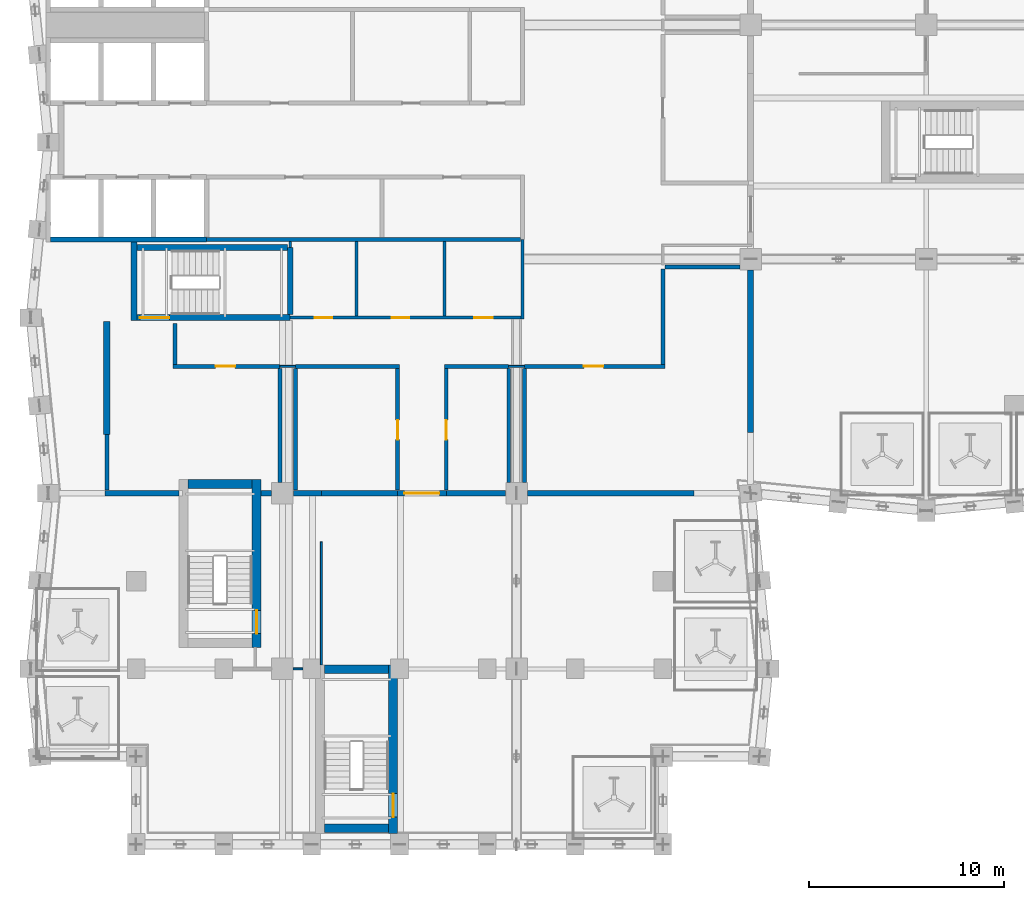
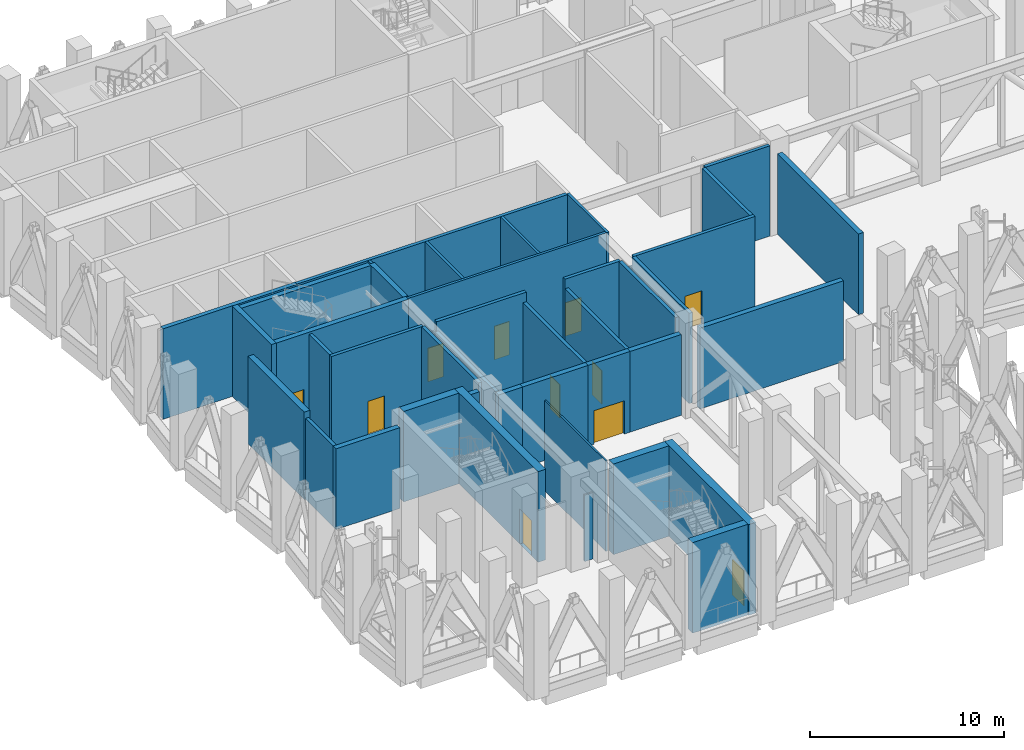
# One storey, part 15 of 28: 43 walls, 11 doors, 11 openings.
"""IFC4 building model written with IfcOpenShell, lengths in metres."""

from ifc_helpers import new_model, si_unit, direction, frame, frame_2d, origin, place, context, subcontext, project, spatial, rectangle, extrude, material, layer, layer_set, type_object, element, fill, save


model = new_model("IFC4")

# Units and contexts
model_context = context("Model", 3, precision=1e-05, world=origin(), true_north=direction((0.0, 1.0)))
body_context = subcontext(model_context, "Body", "Model", "MODEL_VIEW")
ifc_project = project(units=[si_unit("LENGTHUNIT", "METRE"), si_unit("AREAUNIT", "SQUARE_METRE"), si_unit("VOLUMEUNIT", "CUBIC_METRE"), si_unit("PLANEANGLEUNIT", "RADIAN"), si_unit("MASSUNIT", "GRAM", prefix="KILO")], contexts=[model_context])

# Site, building, storey
site_placement = place(None, origin())
site = spatial("IfcSite", under=ifc_project, at=site_placement, CompositionType="ELEMENT")
building_placement = place(site_placement, origin())
building = spatial("IfcBuilding", under=site, at=building_placement, Name="Brondeck Convention Tower", CompositionType="ELEMENT")
storey_placement = place(building_placement, frame((0.0, 0.0, 192.800048828125)))
storey = spatial("IfcBuildingStorey", under=building, at=storey_placement, Name="L47", CompositionType="ELEMENT", Elevation=192.800048828125)

# Walls
ifc_material_1 = material(Name="Precast concrete C50/60 bronze finish", Category="concrete")
ifc_layer_1 = layer(ifc_material_1, 0.080078125, Name="Bronze precast facing")
ifc_material_2 = material(Name="Mineral wool")
ifc_layer_2 = layer(ifc_material_2, 0.159912109375, Name="Insulation")
ifc_material_3 = material(Name="Precast concrete C50/60", Category="concrete")
ifc_layer_3 = layer(ifc_material_3, 0.110107421875, Name="Rated backing")
ifc_layer_set_1 = layer_set([ifc_layer_1, ifc_layer_2, ifc_layer_3], Name="Band enclosure wall, insulated panel")
wall_type_1 = type_object("IfcWallType", Name="Band enclosure wall, insulated panel", PredefinedType="SOLIDWALL", material=ifc_layer_set_1)
wall_1_placement = place(storey_placement, frame((3.0, 30.0, 0.0), z_axis=(0.0, 0.0, 1.0), x_axis=(0.0, 1.0, 0.0)))
element("IfcWall", 1, at=wall_1_placement, inside=storey, type_object=wall_type_1, Name="ENV-L47-002-W", PredefinedType="SOLIDWALL", context=body_context, shape_type="SweptSolid", body=[
    extrude(rectangle(XDim=5.800048828125, YDim=0.35009765625, at=frame_2d((2.89990234375, 0.0))), origin(), (0.0, 0.0, 1.0), 5.5),
])
ifc_material_4 = material(Name="Concrete compartment wall C30/37", Category="concrete")
ifc_layer_4 = layer(ifc_material_4, 0.300048828125)
ifc_layer_set_2 = layer_set([ifc_layer_4], Name="Compartment wall 300")
wall_type_2 = type_object("IfcWallType", Name="Compartment wall 300", PredefinedType="PARTITIONING", material=ifc_layer_set_2)
wall_2_placement = place(storey_placement, frame((6.699951171875, 27.0, 0.0), z_axis=(0.0, 0.0, 1.0), x_axis=(-1.0, 0.0, 0.0)))
element("IfcWall", 2, at=wall_2_placement, inside=storey, type_object=wall_type_2, Name="FLR-L47-W005", PredefinedType="PARTITIONING", context=body_context, shape_type="SweptSolid", body=[
    extrude(rectangle(XDim=3.800048828125, YDim=0.300048828125, at=frame_2d((1.89990234375, 0.0))), origin(), (0.0, 0.0, 1.0), 5.079833984375),
])
wall_3_placement = place(storey_placement, frame((10.89990234375, 27.0, 0.0), z_axis=(0.0, 0.0, 1.0), x_axis=(1.0, 0.0, 0.0)))
element("IfcWall", 3, at=wall_3_placement, inside=storey, type_object=wall_type_2, Name="FLR-L47-W006", PredefinedType="PARTITIONING", context=body_context, shape_type="SweptSolid", body=[
    extrude(rectangle(XDim=0.545166015625, YDim=0.300048828125, at=frame_2d((0.2724609375, 0.0))), origin(), (0.0, 0.0, 1.0), 5.679931640625),
])
wall_4_placement = place(storey_placement, frame((12.570068359375, 27.0, 0.0), z_axis=(0.0, 0.0, 1.0), x_axis=(1.0, 0.0, 0.0)))
element("IfcWall", 4, at=wall_4_placement, inside=storey, type_object=wall_type_2, Name="FLR-L47-W007", PredefinedType="PARTITIONING", context=body_context, shape_type="SweptSolid", body=[
    extrude(rectangle(XDim=1.429931640625, YDim=0.300048828125, at=frame_2d((0.71484375, 0.0))), origin(), (0.0, 0.0, 1.0), 5.079833984375),
])
wall_5_placement = place(storey_placement, frame((17.89990234375, 27.0, 0.0), z_axis=(0.0, 0.0, 1.0), x_axis=(-1.0, 0.0, 0.0)))
element("IfcWall", 5, at=wall_5_placement, inside=storey, type_object=wall_type_2, Name="FLR-L47-W008", PredefinedType="PARTITIONING", context=body_context, shape_type="SweptSolid", body=[
    extrude(rectangle(XDim=3.89990234375, YDim=0.300048828125, at=frame_2d((1.949951171875, 0.0))), origin(), (0.0, 0.0, 1.0), 5.079833984375),
])

# Wall, opening, door
wall_6_placement = place(storey_placement, frame((20.39990234375, 27.0, 0.0), z_axis=(0.0, 0.0, 1.0), x_axis=(-1.0, 0.0, 0.0)))
wall_6 = element("IfcWall", 6, at=wall_6_placement, inside=storey, type_object=wall_type_2, Name="FLR-L47-W009", PredefinedType="PARTITIONING", context=body_context, shape_type="SweptSolid", body=[
    extrude(rectangle(XDim=2.5, YDim=0.300048828125, at=frame_2d((1.25, 0.0))), origin(), (0.0, 0.0, 1.0), 5.079833984375),
])
opening_1_placement = place(wall_6_placement, frame((0.35009765625, 0.0, 0.0)))
opening_1 = element("IfcOpeningElement", 7, at=opening_1_placement, cuts=wall_6, Name="Opening BD-3-009", PredefinedType="OPENING", context=body_context, shape_type="SweptSolid", body=[
    extrude(rectangle(XDim=1.800048828125, YDim=2.10009765625, at=frame_2d((0.89990234375, 1.050048828125))), frame((0.0, 0.159912109375, 0.0), z_axis=(0.0, -1.0, 0.0), x_axis=(1.0, 0.0, 0.0)), (0.0, 0.0, 1.0), 0.320068359375),
])
ifc_material_5 = material(Name="Steel fire door pair", Category="steel")
door_type_1 = type_object("IfcDoorType", Name="Fire door pair 1800", OperationType="DOUBLE_DOOR_SINGLE_SWING", PredefinedType="DOOR", material=ifc_material_5)
door_1_placement = place(opening_1_placement, origin())
door_1 = element("IfcDoor", 8, at=door_1_placement, inside=storey, type_object=door_type_1, Name="Door BD-3-009", OperationType="DOUBLE_DOOR_SINGLE_SWING", OverallHeight=2.10009765625, OverallWidth=1.800048828125, PredefinedType="DOOR", context=body_context, shape_type="SweptSolid", body=[
    extrude(rectangle(XDim=1.800048828125, YDim=2.10009765625, at=frame_2d((0.89990234375, 1.050048828125))), frame((0.0, 0.02490234375, 0.0), z_axis=(0.0, -1.0, 0.0), x_axis=(1.0, 0.0, 0.0)), (0.0, 0.0, 1.0), 0.050048828125),
])
fill(opening_1, door_1)

# Walls
wall_7_placement = place(storey_placement, frame((23.445068359375, 27.0, 0.0), z_axis=(0.0, 0.0, 1.0), x_axis=(-1.0, 0.0, 0.0)))
element("IfcWall", 9, at=wall_7_placement, inside=storey, type_object=wall_type_2, Name="FLR-L47-W010", PredefinedType="PARTITIONING", context=body_context, shape_type="SweptSolid", body=[
    extrude(rectangle(XDim=3.045166015625, YDim=0.300048828125, at=frame_2d((1.5224609375, 0.0))), origin(), (0.0, 0.0, 1.0), 5.079833984375),
])
wall_8_placement = place(storey_placement, frame((33.10009765625, 27.0, 0.0), z_axis=(0.0, 0.0, 1.0), x_axis=(-1.0, 0.0, 0.0)))
element("IfcWall", 10, at=wall_8_placement, inside=storey, type_object=wall_type_2, Name="FLR-L47-W011", PredefinedType="PARTITIONING", context=body_context, shape_type="SweptSolid", body=[
    extrude(rectangle(XDim=8.545166015625, YDim=0.300048828125, at=frame_2d((4.2724609375, 0.0))), origin(), (0.0, 0.0, 1.0), 5.079833984375),
])
wall_9_placement = place(storey_placement, frame((36.0, 38.445068359375, 0.0), z_axis=(0.0, 0.0, 1.0), x_axis=(0.0, -1.0, 0.0)))
element("IfcWall", 11, at=wall_9_placement, inside=storey, type_object=wall_type_2, Name="FLR-L47-W028", PredefinedType="PARTITIONING", context=body_context, shape_type="SweptSolid", body=[
    extrude(rectangle(XDim=8.344970703125, YDim=0.300048828125, at=frame_2d((4.17236328125, 0.0))), origin(), (0.0, 0.0, 1.0), 5.079833984375),
])

# Wall, openings, doors
ifc_material_6 = material(Name="Concrete C70/85", Category="concrete")
ifc_layer_5 = layer(ifc_material_6, 0.14990234375)
ifc_layer_set_3 = layer_set([ifc_layer_5], Name="Core beam-seat wall 150 Concrete C70/85")
wall_type_3 = type_object("IfcWallType", Name="Core beam-seat wall 150 Concrete C70/85", PredefinedType="SHEAR", material=ifc_layer_set_3)
wall_10_placement = place(storey_placement, frame((12.39990234375, 36.0, 0.0), z_axis=(0.0, 0.0, 1.0), x_axis=(1.0, 0.0, 0.0)))
wall_10 = element("IfcWall", 12, at=wall_10_placement, inside=storey, type_object=wall_type_3, Name="L47 core wall", PredefinedType="SHEAR", context=body_context, shape_type="SweptSolid", body=[
    extrude(rectangle(XDim=11.8251953125, YDim=0.14990234375, at=frame_2d((5.91259765625, 0.0))), origin(), (0.0, 0.0, 1.0), 5.699951171875),
])
opening_2_placement = place(wall_10_placement, frame((1.25, 0.0, 0.0)))
opening_2 = element("IfcOpeningElement", 13, at=opening_2_placement, cuts=wall_10, Name="Opening C26-03", PredefinedType="OPENING", context=body_context, shape_type="SweptSolid", body=[
    extrude(rectangle(XDim=0.89990234375, YDim=2.10009765625, at=frame_2d((0.449951171875, 1.050048828125))), frame((0.0, 0.0849609375, 0.0), z_axis=(0.0, -1.0, 0.0), x_axis=(1.0, 0.0, 0.0)), (0.0, 0.0, 1.0), 0.169921875),
])
opening_3_placement = place(wall_10_placement, frame((5.199951171875, 0.0, 0.0)))
opening_3 = element("IfcOpeningElement", 14, at=opening_3_placement, cuts=wall_10, Name="Opening C26-04", PredefinedType="OPENING", context=body_context, shape_type="SweptSolid", body=[
    extrude(rectangle(XDim=0.89990234375, YDim=2.10009765625, at=frame_2d((0.449951171875, 1.050048828125))), frame((0.0, 0.0849609375, 0.0), z_axis=(0.0, -1.0, 0.0), x_axis=(1.0, 0.0, 0.0)), (0.0, 0.0, 1.0), 0.169921875),
])
opening_4_placement = place(wall_10_placement, frame((9.425048828125, 0.0, 0.0)))
opening_4 = element("IfcOpeningElement", 15, at=opening_4_placement, cuts=wall_10, Name="Opening C26-05", PredefinedType="OPENING", context=body_context, shape_type="SweptSolid", body=[
    extrude(rectangle(XDim=0.949951171875, YDim=2.10009765625, at=frame_2d((0.47509765625, 1.050048828125))), frame((0.0, 0.0849609375, 0.0), z_axis=(0.0, -1.0, 0.0), x_axis=(1.0, 0.0, 0.0)), (0.0, 0.0, 1.0), 0.169921875),
])
ifc_material_7 = material(Name="Steel fire door", Category="steel")
door_type_2 = type_object("IfcDoorType", Name="Room door 900x2100 EI 60", OperationType="NOTDEFINED", PredefinedType="DOOR", material=ifc_material_7)
door_2_placement = place(opening_2_placement, origin())
door_2 = element("IfcDoor", 16, at=door_2_placement, inside=storey, type_object=door_type_2, Name="L47 Room door FR-1", OperationType="SINGLE_SWING_RIGHT", OverallHeight=2.10009765625, OverallWidth=0.89990234375, PredefinedType="DOOR", context=body_context, shape_type="SweptSolid", body=[
    extrude(rectangle(XDim=0.89990234375, YDim=2.10009765625, at=frame_2d((0.449951171875, 1.050048828125))), frame((0.0, 0.02490234375, 0.0), z_axis=(0.0, -1.0, 0.0), x_axis=(1.0, 0.0, 0.0)), (0.0, 0.0, 1.0), 0.050048828125),
])
fill(opening_2, door_2)
door_3_placement = place(opening_3_placement, origin())
door_3 = element("IfcDoor", 17, at=door_3_placement, inside=storey, type_object=door_type_2, Name="L47 Room door FR-2", OperationType="SINGLE_SWING_LEFT", OverallHeight=2.10009765625, OverallWidth=0.89990234375, PredefinedType="DOOR", context=body_context, shape_type="SweptSolid", body=[
    extrude(rectangle(XDim=0.89990234375, YDim=2.10009765625, at=frame_2d((0.449951171875, 1.050048828125))), frame((0.0, 0.02490234375, 0.0), z_axis=(0.0, -1.0, 0.0), x_axis=(1.0, 0.0, 0.0)), (0.0, 0.0, 1.0), 0.050048828125),
])
fill(opening_3, door_3)
door_type_3 = type_object("IfcDoorType", Name="Room door 950x2100 EI 60", OperationType="NOTDEFINED", PredefinedType="DOOR", material=ifc_material_7)
door_4_placement = place(opening_4_placement, origin())
door_4 = element("IfcDoor", 18, at=door_4_placement, inside=storey, type_object=door_type_3, Name="L47 Room door FR-3", OperationType="SINGLE_SWING_RIGHT", OverallHeight=2.10009765625, OverallWidth=0.949951171875, PredefinedType="DOOR", context=body_context, shape_type="SweptSolid", body=[
    extrude(rectangle(XDim=0.949951171875, YDim=2.10009765625, at=frame_2d((0.47509765625, 1.050048828125))), frame((0.0, 0.02490234375, 0.0), z_axis=(0.0, -1.0, 0.0), x_axis=(1.0, 0.0, 0.0)), (0.0, 0.0, 1.0), 0.050048828125),
])
fill(opening_4, door_4)

# Walls
wall_11_placement = place(storey_placement, frame((24.300048828125, 35.925048828125, 0.0), z_axis=(0.0, 0.0, 1.0), x_axis=(0.0, 1.0, 0.0)))
element("IfcWall", 19, at=wall_11_placement, inside=storey, type_object=wall_type_3, Name="L47 core wall", PredefinedType="SHEAR", context=body_context, shape_type="SweptSolid", body=[
    extrude(rectangle(XDim=4.074951171875, YDim=0.14990234375, at=frame_2d((2.03759765625, 0.0))), origin(), (0.0, 0.0, 1.0), 5.699951171875),
])
ifc_material_8 = material(Name="Fire-rated gypsum board partition")
ifc_layer_6 = layer(ifc_material_8, 0.14990234375)
ifc_layer_set_4 = layer_set([ifc_layer_6], Name="Core partition 150 EI 60")
wall_type_4 = type_object("IfcWallType", Name="Core partition 150 EI 60", PredefinedType="PARTITIONING", material=ifc_layer_set_4)
wall_12_placement = place(storey_placement, frame((12.39990234375, 39.60009765625, 0.0), z_axis=(0.0, 0.0, 1.0), x_axis=(0.0, 1.0, 0.0)))
element("IfcWall", 20, at=wall_12_placement, inside=storey, type_object=wall_type_4, Name="L47 core wall", PredefinedType="PARTITIONING", context=body_context, shape_type="SweptSolid", body=[
    extrude(rectangle(XDim=0.2998046875, YDim=0.14990234375, at=frame_2d((0.14990234375, 0.0))), origin(), (0.0, 0.0, 1.0), 5.699951171875),
])
for number, where, z_axis, x_axis, name in (
    (21, (15.800048828125, 36.074951171875, 0.0), (0.0, 0.0, 1.0), (0.0, 1.0, 0.0), "L47 core wall"),
    (22, (20.300048828125, 36.074951171875, 0.0), (0.0, 0.0, 1.0), (0.0, 1.0, 0.0), "L47 core wall"),
):
    element("IfcWall", number, at=place(storey_placement, frame(where, z_axis=z_axis, x_axis=x_axis)), inside=storey, type_object=wall_type_4, Name=name, PredefinedType="PARTITIONING", context=body_context, shape_type="SweptSolid", body=[
        extrude(rectangle(XDim=3.824951171875, YDim=0.14990234375, at=frame_2d((1.91259765625, 0.0))), origin(), (0.0, 0.0, 1.0), 5.699951171875),
    ])
ifc_layer_7 = layer(ifc_material_6, 0.25)
ifc_layer_set_5 = layer_set([ifc_layer_7], Name="Lift shaft wall 250 Concrete C70/85")
wall_type_5 = type_object("IfcWallType", Name="Lift shaft wall 250 Concrete C70/85", PredefinedType="SHEAR", material=ifc_layer_set_5)
wall_13_placement = place(storey_placement, frame((0.125, 40.0, 0.0), z_axis=(0.0, 0.0, 1.0), x_axis=(1.0, 0.0, 0.0)))
element("IfcWall", 23, at=wall_13_placement, inside=storey, type_object=wall_type_5, Name="L47 core wall", PredefinedType="SHEAR", context=body_context, shape_type="SweptSolid", body=[
    extrude(rectangle(XDim=7.97509765625, YDim=0.25, at=frame_2d((3.987548828125, 0.0))), origin(), (0.0, 0.0, 1.0), 5.699951171875),
])
ifc_material_9 = material(Name="Concrete block wall C16/20", Category="concrete")
ifc_layer_8 = layer(ifc_material_9, 0.199951171875)
ifc_layer_set_6 = layer_set([ifc_layer_8], Name="Plant room wall 200")
wall_type_6 = type_object("IfcWallType", Name="Plant room wall 200", PredefinedType="PARTITIONING", material=ifc_layer_set_6)
wall_14_placement = place(storey_placement, frame((3.0, 27.159912109375, 0.0), z_axis=(0.0, 0.0, 1.0), x_axis=(0.0, 1.0, 0.0)))
element("IfcWall", 24, at=wall_14_placement, inside=storey, type_object=wall_type_6, Name="FLR-L47-W012", PredefinedType="PARTITIONING", context=body_context, shape_type="SweptSolid", body=[
    extrude(rectangle(XDim=2.840087890625, YDim=0.199951171875, at=frame_2d((1.419921875, 0.0))), origin(), (0.0, 0.0, 1.0), 5.079833984375),
])
wall_15_placement = place(storey_placement, frame((12.669921875, 27.159912109375, 0.0), z_axis=(0.0, 0.0, 1.0), x_axis=(0.0, 1.0, 0.0)))
element("IfcWall", 25, at=wall_15_placement, inside=storey, type_object=wall_type_6, Name="FLR-L47-W013", PredefinedType="PARTITIONING", context=body_context, shape_type="SweptSolid", body=[
    extrude(rectangle(XDim=6.239990234375, YDim=0.199951171875, at=frame_2d((3.1201171875, 0.0))), origin(), (0.0, 0.0, 1.0), 5.079833984375),
])

# Wall, opening, door
wall_16_placement = place(storey_placement, frame((17.89990234375, 27.159912109375, 0.0), z_axis=(0.0, 0.0, 1.0), x_axis=(0.0, 1.0, 0.0)))
wall_16 = element("IfcWall", 26, at=wall_16_placement, inside=storey, type_object=wall_type_6, Name="FLR-L47-W014", PredefinedType="PARTITIONING", context=body_context, shape_type="SweptSolid", body=[
    extrude(rectangle(XDim=6.239990234375, YDim=0.199951171875, at=frame_2d((3.1201171875, 0.0))), origin(), (0.0, 0.0, 1.0), 5.079833984375),
])
opening_5_placement = place(wall_16_placement, frame((2.590087890625, 0.0, 0.0)))
opening_5 = element("IfcOpeningElement", 27, at=opening_5_placement, cuts=wall_16, Name="Opening BD-3-003", PredefinedType="OPENING", context=body_context, shape_type="SweptSolid", body=[
    extrude(rectangle(XDim=1.0, YDim=2.10009765625, at=frame_2d((0.5, 1.050048828125))), frame((0.0, 0.10986328125, 0.0), z_axis=(0.0, -1.0, 0.0), x_axis=(1.0, 0.0, 0.0)), (0.0, 0.0, 1.0), 0.219970703125),
])
ifc_material_10 = material(Name="Steel fire door leaf", Category="steel")
door_type_4 = type_object("IfcDoorType", Name="Plant room door 1000", OperationType="NOTDEFINED", PredefinedType="DOOR", material=ifc_material_10)
door_5_placement = place(opening_5_placement, origin())
door_5 = element("IfcDoor", 28, at=door_5_placement, inside=storey, type_object=door_type_4, Name="Door BD-3-003", OperationType="SINGLE_SWING_RIGHT", OverallHeight=2.10009765625, OverallWidth=1.0, PredefinedType="DOOR", context=body_context, shape_type="SweptSolid", body=[
    extrude(rectangle(XDim=1.0, YDim=2.10009765625, at=frame_2d((0.5, 1.050048828125))), frame((0.0, 0.02490234375, 0.0), z_axis=(0.0, -1.0, 0.0), x_axis=(1.0, 0.0, 0.0)), (0.0, 0.0, 1.0), 0.050048828125),
])
fill(opening_5, door_5)

# Walls
for number, where, z_axis, x_axis, name in (
    (29, (24.39990234375, 27.554931640625, 0.0), (0.0, 0.0, 1.0), (0.0, 1.0, 0.0), "FLR-L47-W015"),
    (30, (11.8701171875, 33.39990234375, 0.0), (0.0, 0.0, 1.0), (0.0, -1.0, 0.0), "FLR-L47-W018"),
):
    element("IfcWall", number, at=place(storey_placement, frame(where, z_axis=z_axis, x_axis=x_axis)), inside=storey, type_object=wall_type_6, Name=name, PredefinedType="PARTITIONING", context=body_context, shape_type="SweptSolid", body=[
        extrude(rectangle(XDim=5.844970703125, YDim=0.199951171875, at=frame_2d((2.92236328125, 0.0))), origin(), (0.0, 0.0, 1.0), 5.679931640625),
    ])

# Wall, opening, door
wall_17_placement = place(storey_placement, frame((20.39990234375, 33.39990234375, 0.0), z_axis=(0.0, 0.0, 1.0), x_axis=(0.0, -1.0, 0.0)))
wall_17 = element("IfcWall", 31, at=wall_17_placement, inside=storey, type_object=wall_type_6, Name="FLR-L47-W019", PredefinedType="PARTITIONING", context=body_context, shape_type="SweptSolid", body=[
    extrude(rectangle(XDim=6.239990234375, YDim=0.199951171875, at=frame_2d((3.1201171875, 0.0))), origin(), (0.0, 0.0, 1.0), 5.079833984375),
])
opening_6_placement = place(wall_17_placement, frame((2.64990234375, 0.0, 0.0)))
opening_6 = element("IfcOpeningElement", 32, at=opening_6_placement, cuts=wall_17, Name="Opening BD-3-005", PredefinedType="OPENING", context=body_context, shape_type="SweptSolid", body=[
    extrude(rectangle(XDim=1.0, YDim=2.10009765625, at=frame_2d((0.5, 1.050048828125))), frame((0.0, 0.10986328125, 0.0), z_axis=(0.0, -1.0, 0.0), x_axis=(1.0, 0.0, 0.0)), (0.0, 0.0, 1.0), 0.219970703125),
])
door_6_placement = place(opening_6_placement, origin())
door_6 = element("IfcDoor", 33, at=door_6_placement, inside=storey, type_object=door_type_4, Name="Door BD-3-005", OperationType="SINGLE_SWING_LEFT", OverallHeight=2.10009765625, OverallWidth=1.0, PredefinedType="DOOR", context=body_context, shape_type="SweptSolid", body=[
    extrude(rectangle(XDim=1.0, YDim=2.10009765625, at=frame_2d((0.5, 1.050048828125))), frame((0.0, 0.02490234375, 0.0), z_axis=(0.0, -1.0, 0.0), x_axis=(1.0, 0.0, 0.0)), (0.0, 0.0, 1.0), 0.050048828125),
])
fill(opening_6, door_6)

# Wall
wall_18_placement = place(storey_placement, frame((23.60009765625, 33.39990234375, 0.0), z_axis=(0.0, 0.0, 1.0), x_axis=(0.0, -1.0, 0.0)))
element("IfcWall", 34, at=wall_18_placement, inside=storey, type_object=wall_type_6, Name="FLR-L47-W020", PredefinedType="PARTITIONING", context=body_context, shape_type="SweptSolid", body=[
    extrude(rectangle(XDim=5.844970703125, YDim=0.199951171875, at=frame_2d((2.92236328125, 0.0))), origin(), (0.0, 0.0, 1.0), 5.679931640625),
])

# Wall, opening, door
wall_19_placement = place(storey_placement, frame((11.8701171875, 33.5, 0.0), z_axis=(0.0, 0.0, 1.0), x_axis=(-1.0, 0.0, 0.0)))
wall_19 = element("IfcWall", 35, at=wall_19_placement, inside=storey, type_object=wall_type_6, Name="FLR-L47-W021", PredefinedType="PARTITIONING", context=body_context, shape_type="SweptSolid", body=[
    extrude(rectangle(XDim=5.47021484375, YDim=0.199951171875, at=frame_2d((2.735107421875, 0.0))), origin(), (0.0, 0.0, 1.0), 5.679931640625),
])
opening_7_placement = place(wall_19_placement, frame((2.294921875, 0.0, 0.0)))
opening_7 = element("IfcOpeningElement", 36, at=opening_7_placement, cuts=wall_19, Name="Opening BD-3-002", PredefinedType="OPENING", context=body_context, shape_type="SweptSolid", body=[
    extrude(rectangle(XDim=1.0, YDim=2.10009765625, at=frame_2d((0.5, 1.050048828125))), frame((0.0, 0.10986328125, 0.0), z_axis=(0.0, -1.0, 0.0), x_axis=(1.0, 0.0, 0.0)), (0.0, 0.0, 1.0), 0.219970703125),
])
door_7_placement = place(opening_7_placement, origin())
door_7 = element("IfcDoor", 37, at=door_7_placement, inside=storey, type_object=door_type_4, Name="Door BD-3-002", OperationType="SINGLE_SWING_LEFT", OverallHeight=2.10009765625, OverallWidth=1.0, PredefinedType="DOOR", context=body_context, shape_type="SweptSolid", body=[
    extrude(rectangle(XDim=1.0, YDim=2.10009765625, at=frame_2d((0.5, 1.050048828125))), frame((0.0, 0.02490234375, 0.0), z_axis=(0.0, -1.0, 0.0), x_axis=(1.0, 0.0, 0.0)), (0.0, 0.0, 1.0), 0.050048828125),
])
fill(opening_7, door_7)

# Walls
wall_20_placement = place(storey_placement, frame((18.0, 33.5, 0.0), z_axis=(0.0, 0.0, 1.0), x_axis=(-1.0, 0.0, 0.0)))
element("IfcWall", 38, at=wall_20_placement, inside=storey, type_object=wall_type_6, Name="FLR-L47-W023", PredefinedType="PARTITIONING", context=body_context, shape_type="SweptSolid", body=[
    extrude(rectangle(XDim=5.330078125, YDim=0.199951171875, at=frame_2d((2.6650390625, 0.0))), origin(), (0.0, 0.0, 1.0), 5.679931640625),
])
wall_21_placement = place(storey_placement, frame((23.60009765625, 33.5, 0.0), z_axis=(0.0, 0.0, 1.0), x_axis=(-1.0, 0.0, 0.0)))
element("IfcWall", 39, at=wall_21_placement, inside=storey, type_object=wall_type_6, Name="FLR-L47-W024", PredefinedType="PARTITIONING", context=body_context, shape_type="SweptSolid", body=[
    extrude(rectangle(XDim=3.300048828125, YDim=0.199951171875, at=frame_2d((1.64990234375, 0.0))), origin(), (0.0, 0.0, 1.0), 5.679931640625),
])

# Wall, opening, door
wall_22_placement = place(storey_placement, frame((31.60009765625, 33.5, 0.0), z_axis=(0.0, 0.0, 1.0), x_axis=(-1.0, 0.0, 0.0)))
wall_22 = element("IfcWall", 40, at=wall_22_placement, inside=storey, type_object=wall_type_6, Name="FLR-L47-W026", PredefinedType="PARTITIONING", context=body_context, shape_type="SweptSolid", body=[
    extrude(rectangle(XDim=7.2001953125, YDim=0.199951171875, at=frame_2d((3.60009765625, 0.0))), origin(), (0.0, 0.0, 1.0), 5.679931640625),
])
opening_8_placement = place(wall_22_placement, frame((3.14990234375, 0.0, 0.0)))
opening_8 = element("IfcOpeningElement", 41, at=opening_8_placement, cuts=wall_22, Name="Opening BD-3-004", PredefinedType="OPENING", context=body_context, shape_type="SweptSolid", body=[
    extrude(rectangle(XDim=1.0, YDim=2.10009765625, at=frame_2d((0.5, 1.050048828125))), frame((0.0, 0.10986328125, 0.0), z_axis=(0.0, -1.0, 0.0), x_axis=(1.0, 0.0, 0.0)), (0.0, 0.0, 1.0), 0.219970703125),
])
door_8_placement = place(opening_8_placement, origin())
door_8 = element("IfcDoor", 42, at=door_8_placement, inside=storey, type_object=door_type_4, Name="Door BD-3-004", OperationType="SINGLE_SWING_RIGHT", OverallHeight=2.10009765625, OverallWidth=1.0, PredefinedType="DOOR", context=body_context, shape_type="SweptSolid", body=[
    extrude(rectangle(XDim=1.0, YDim=2.10009765625, at=frame_2d((0.5, 1.050048828125))), frame((0.0, 0.02490234375, 0.0), z_axis=(0.0, -1.0, 0.0), x_axis=(1.0, 0.0, 0.0)), (0.0, 0.0, 1.0), 0.050048828125),
])
fill(opening_8, door_8)

# Walls
wall_23_placement = place(storey_placement, frame((6.5, 33.60009765625, 0.0), z_axis=(0.0, 0.0, 1.0), x_axis=(0.0, 1.0, 0.0)))
element("IfcWall", 43, at=wall_23_placement, inside=storey, type_object=wall_type_6, Name="FLR-L47-W027", PredefinedType="PARTITIONING", context=body_context, shape_type="SweptSolid", body=[
    extrude(rectangle(XDim=2.099853515625, YDim=0.199951171875, at=frame_2d((1.0498046875, 0.0))), origin(), (0.0, 0.0, 1.0), 5.679931640625),
])
wall_24_placement = place(storey_placement, frame((31.5, 38.5, 0.0), z_axis=(0.0, 0.0, 1.0), x_axis=(0.0, -1.0, 0.0)))
element("IfcWall", 44, at=wall_24_placement, inside=storey, type_object=wall_type_6, Name="FLR-L47-W029", PredefinedType="PARTITIONING", context=body_context, shape_type="SweptSolid", body=[
    extrude(rectangle(XDim=4.89990234375, YDim=0.199951171875, at=frame_2d((2.449951171875, 0.0))), origin(), (0.0, 0.0, 1.0), 5.679931640625),
])
wall_25_placement = place(storey_placement, frame((31.60009765625, 38.60009765625, 0.0), z_axis=(0.0, 0.0, 1.0), x_axis=(1.0, 0.0, 0.0)))
element("IfcWall", 45, at=wall_25_placement, inside=storey, type_object=wall_type_6, Name="FLR-L47-W030", PredefinedType="PARTITIONING", context=body_context, shape_type="SweptSolid", body=[
    extrude(rectangle(XDim=3.844970703125, YDim=0.199951171875, at=frame_2d((1.92236328125, 0.0))), origin(), (0.0, 0.0, 1.0), 5.679931640625),
])
ifc_layer_9 = layer(ifc_material_8, 0.199951171875)
ifc_layer_set_7 = layer_set([ifc_layer_9], Name="Plant room wall 200 EI 120")
wall_type_7 = type_object("IfcWallType", Name="Plant room wall 200 EI 120", PredefinedType="PARTITIONING", material=ifc_layer_set_7)
wall_26_placement = place(storey_placement, frame((8.10009765625, 40.0, 0.0), z_axis=(0.0, 0.0, 1.0), x_axis=(1.0, 0.0, 0.0)))
element("IfcWall", 46, at=wall_26_placement, inside=storey, type_object=wall_type_7, Name="L47 core wall", PredefinedType="PARTITIONING", context=body_context, shape_type="SweptSolid", body=[
    extrude(rectangle(XDim=16.099853515625, YDim=0.199951171875, at=frame_2d((8.0498046875, 0.0))), origin(), (0.0, 0.0, 1.0), 5.699951171875),
])
ifc_material_11 = material(Name="Gypsum board partition on steel studs", Category="steel")
ifc_layer_10 = layer(ifc_material_11, 0.10009765625)
ifc_layer_set_8 = layer_set([ifc_layer_10], Name="Room partition 100")
wall_type_8 = type_object("IfcWallType", Name="Room partition 100", PredefinedType="PARTITIONING", material=ifc_layer_set_8)
wall_27_placement = place(storey_placement, frame((13.044921875, 18.0, 0.0), z_axis=(0.0, 0.0, 1.0), x_axis=(-1.0, 0.0, 0.0)))
element("IfcWall", 47, at=wall_27_placement, inside=storey, type_object=wall_type_8, Name="FLR-L47-W002", PredefinedType="PARTITIONING", context=body_context, shape_type="SweptSolid", body=[
    extrude(rectangle(XDim=0.489990234375, YDim=0.10009765625, at=frame_2d((0.2451171875, 0.0))), origin(), (0.0, 0.0, 1.0), 4.179931640625),
])
wall_28_placement = place(storey_placement, frame((14.0, 24.5, 0.0), z_axis=(0.0, 0.0, 1.0), x_axis=(0.0, -1.0, 0.0)))
element("IfcWall", 48, at=wall_28_placement, inside=storey, type_object=wall_type_8, Name="FLR-L47-W004", PredefinedType="PARTITIONING", context=body_context, shape_type="SweptSolid", body=[
    extrude(rectangle(XDim=6.300048828125, YDim=0.10009765625, at=frame_2d((3.14990234375, 0.0))), origin(), (0.0, 0.0, 1.0), 5.679931640625),
])
for number, where, z_axis, x_axis, name in (
    (49, (12.669921875, 33.5, 0.0), (0.0, 0.0, 1.0), (-1.0, 0.0, 0.0), "FLR-L47-W022"),
    (50, (24.39990234375, 33.5, 0.0), (0.0, 0.0, 1.0), (-1.0, 0.0, 0.0), "FLR-L47-W025"),
):
    element("IfcWall", number, at=place(storey_placement, frame(where, z_axis=z_axis, x_axis=x_axis)), inside=storey, type_object=wall_type_8, Name=name, PredefinedType="PARTITIONING", context=body_context, shape_type="SweptSolid", body=[
        extrude(rectangle(XDim=0.7998046875, YDim=0.10009765625, at=frame_2d((0.39990234375, 0.0))), origin(), (0.0, 0.0, 1.0), 5.079833984375),
    ])
ifc_material_12 = material(Name="Concrete C50/60", Category="concrete")
ifc_layer_11 = layer(ifc_material_12, 0.449951171875)
ifc_layer_set_9 = layer_set([ifc_layer_11], Name="Stair enclosure bearing wall 450 Concrete C50/60")
wall_type_9 = type_object("IfcWallType", Name="Stair enclosure bearing wall 450 Concrete C50/60", PredefinedType="SHEAR", material=ifc_layer_set_9)
for number, where, z_axis, x_axis, name in (
    (51, (14.14990234375, 9.824951171875, 0.0), (0.0, 0.0, 1.0), (1.0, 0.0, 0.0), "L47 core wall"),
    (52, (14.14990234375, 17.97509765625, 0.0), (0.0, 0.0, 1.0), (1.0, 0.0, 0.0), "L47 core wall"),
    (53, (7.14990234375, 27.47509765625, 0.0), (0.0, 0.0, 1.0), (1.0, 0.0, 0.0), "L47 core wall"),
):
    element("IfcWall", number, at=place(storey_placement, frame(where, z_axis=z_axis, x_axis=x_axis)), inside=storey, type_object=wall_type_9, Name=name, PredefinedType="SHEAR", context=body_context, shape_type="SweptSolid", body=[
        extrude(rectangle(XDim=3.300048828125, YDim=0.449951171875, at=frame_2d((1.64990234375, 0.0))), origin(), (0.0, 0.0, 1.0), 5.699951171875),
    ])

# Wall, opening, door
wall_29_placement = place(storey_placement, frame((10.675048828125, 19.10009765625, 0.0), z_axis=(0.0, 0.0, 1.0), x_axis=(0.0, 1.0, 0.0)))
wall_29 = element("IfcWall", 54, at=wall_29_placement, inside=storey, type_object=wall_type_9, Name="L47 core wall", PredefinedType="SHEAR", context=body_context, shape_type="SweptSolid", body=[
    extrude(rectangle(XDim=8.599853515625, YDim=0.449951171875, at=frame_2d((4.2998046875, 0.0))), origin(), (0.0, 0.0, 1.0), 5.699951171875),
])
opening_9_placement = place(wall_29_placement, frame((0.699951171875, 0.0, 0.0)))
opening_9 = element("IfcOpeningElement", 55, at=opening_9_placement, cuts=wall_29, Name="Opening C26-16", PredefinedType="OPENING", context=body_context, shape_type="SweptSolid", body=[
    extrude(rectangle(XDim=1.199951171875, YDim=2.199951171875, at=frame_2d((0.60009765625, 1.10009765625))), frame((0.0, 0.23486328125, 0.0), z_axis=(0.0, -1.0, 0.0), x_axis=(1.0, 0.0, 0.0)), (0.0, 0.0, 1.0), 0.469970703125),
])
door_type_5 = type_object("IfcDoorType", Name="Stair door 1200x2200 EI 90", OperationType="NOTDEFINED", PredefinedType="DOOR", material=ifc_material_7)
door_9_placement = place(opening_9_placement, origin())
door_9 = element("IfcDoor", 56, at=door_9_placement, inside=storey, type_object=door_type_5, Name="L47 Stair door ST-BE", OperationType="SINGLE_SWING_RIGHT", OverallHeight=2.199951171875, OverallWidth=1.199951171875, PredefinedType="DOOR", context=body_context, shape_type="SweptSolid", body=[
    extrude(rectangle(XDim=1.199951171875, YDim=2.199951171875, at=frame_2d((0.60009765625, 1.10009765625))), frame((0.0, 0.02490234375, 0.0), z_axis=(0.0, -1.0, 0.0), x_axis=(1.0, 0.0, 0.0)), (0.0, 0.0, 1.0), 0.050048828125),
])
fill(opening_9, door_9)

wall_30_placement = place(storey_placement, frame((17.675048828125, 9.550048828125, 0.0), z_axis=(0.0, 0.0, 1.0), x_axis=(0.0, 1.0, 0.0)))
wall_30 = element("IfcWall", 57, at=wall_30_placement, inside=storey, type_object=wall_type_9, Name="L47 core wall", PredefinedType="SHEAR", context=body_context, shape_type="SweptSolid", body=[
    extrude(rectangle(XDim=8.64990234375, YDim=0.449951171875, at=frame_2d((4.324951171875, 0.0))), origin(), (0.0, 0.0, 1.0), 5.699951171875),
])
opening_10_placement = place(wall_30_placement, frame((0.85009765625, 0.0, 0.0)))
opening_10 = element("IfcOpeningElement", 58, at=opening_10_placement, cuts=wall_30, Name="Opening C26-17", PredefinedType="OPENING", context=body_context, shape_type="SweptSolid", body=[
    extrude(rectangle(XDim=1.199951171875, YDim=2.199951171875, at=frame_2d((0.60009765625, 1.10009765625))), frame((0.0, 0.23486328125, 0.0), z_axis=(0.0, -1.0, 0.0), x_axis=(1.0, 0.0, 0.0)), (0.0, 0.0, 1.0), 0.469970703125),
])
door_10_placement = place(opening_10_placement, origin())
door_10 = element("IfcDoor", 59, at=door_10_placement, inside=storey, type_object=door_type_5, Name="L47 Stair door ST-BF", OperationType="SINGLE_SWING_LEFT", OverallHeight=2.199951171875, OverallWidth=1.199951171875, PredefinedType="DOOR", context=body_context, shape_type="SweptSolid", body=[
    extrude(rectangle(XDim=1.199951171875, YDim=2.199951171875, at=frame_2d((0.60009765625, 1.10009765625))), frame((0.0, 0.02490234375, 0.0), z_axis=(0.0, -1.0, 0.0), x_axis=(1.0, 0.0, 0.0)), (0.0, 0.0, 1.0), 0.050048828125),
])
fill(opening_10, door_10)

ifc_layer_12 = layer(ifc_material_6, 0.300048828125)
ifc_layer_set_10 = layer_set([ifc_layer_12], Name="Stair enclosure wall 300 Concrete C70/85")
wall_type_10 = type_object("IfcWallType", Name="Stair enclosure wall 300 Concrete C70/85", PredefinedType="SHEAR", material=ifc_layer_set_10)
wall_31_placement = place(storey_placement, frame((4.550048828125, 36.0, 0.0), z_axis=(0.0, 0.0, 1.0), x_axis=(1.0, 0.0, 0.0)))
wall_31 = element("IfcWall", 60, at=wall_31_placement, inside=storey, type_object=wall_type_10, Name="L47 core wall", PredefinedType="SHEAR", context=body_context, shape_type="SweptSolid", body=[
    extrude(rectangle(XDim=7.849853515625, YDim=0.300048828125, at=frame_2d((3.9248046875, 0.0))), origin(), (0.0, 0.0, 1.0), 5.699951171875),
])
opening_11_placement = place(wall_31_placement, frame((0.14990234375, 0.0, 0.0)))
opening_11 = element("IfcOpeningElement", 61, at=opening_11_placement, cuts=wall_31, Name="Opening C26-11", PredefinedType="OPENING", context=body_context, shape_type="SweptSolid", body=[
    extrude(rectangle(XDim=1.5, YDim=2.199951171875, at=frame_2d((0.75, 1.10009765625))), frame((0.0, 0.159912109375, 0.0), z_axis=(0.0, -1.0, 0.0), x_axis=(1.0, 0.0, 0.0)), (0.0, 0.0, 1.0), 0.320068359375),
])
door_type_6 = type_object("IfcDoorType", Name="Stair door 1500x2200 EI 90", OperationType="NOTDEFINED", PredefinedType="DOOR", material=ifc_material_7)
door_11_placement = place(opening_11_placement, origin())
door_11 = element("IfcDoor", 62, at=door_11_placement, inside=storey, type_object=door_type_6, Name="L47 Stair door ST-1", OperationType="SINGLE_SWING_RIGHT", OverallHeight=2.199951171875, OverallWidth=1.5, PredefinedType="DOOR", context=body_context, shape_type="SweptSolid", body=[
    extrude(rectangle(XDim=1.5, YDim=2.199951171875, at=frame_2d((0.75, 1.10009765625))), frame((0.0, 0.02490234375, 0.0), z_axis=(0.0, -1.0, 0.0), x_axis=(1.0, 0.0, 0.0)), (0.0, 0.0, 1.0), 0.050048828125),
])
fill(opening_11, door_11)

# Walls
wall_32_placement = place(storey_placement, frame((4.550048828125, 39.60009765625, 0.0), z_axis=(0.0, 0.0, 1.0), x_axis=(1.0, 0.0, 0.0)))
element("IfcWall", 63, at=wall_32_placement, inside=storey, type_object=wall_type_10, Name="L47 core wall", PredefinedType="SHEAR", context=body_context, shape_type="SweptSolid", body=[
    extrude(rectangle(XDim=7.699951171875, YDim=0.300048828125, at=frame_2d((3.85009765625, 0.0))), origin(), (0.0, 0.0, 1.0), 5.699951171875),
])
wall_33_placement = place(storey_placement, frame((4.39990234375, 35.85009765625, 0.0), z_axis=(0.0, 0.0, 1.0), x_axis=(0.0, 1.0, 0.0)))
element("IfcWall", 64, at=wall_33_placement, inside=storey, type_object=wall_type_10, Name="L47 core wall", PredefinedType="SHEAR", context=body_context, shape_type="SweptSolid", body=[
    extrude(rectangle(XDim=4.02490234375, YDim=0.300048828125, at=frame_2d((2.012451171875, 0.0))), origin(), (0.0, 0.0, 1.0), 5.699951171875),
])
wall_34_placement = place(storey_placement, frame((12.39990234375, 36.14990234375, 0.0), z_axis=(0.0, 0.0, 1.0), x_axis=(0.0, 1.0, 0.0)))
element("IfcWall", 65, at=wall_34_placement, inside=storey, type_object=wall_type_10, Name="L47 core wall", PredefinedType="SHEAR", context=body_context, shape_type="SweptSolid", body=[
    extrude(rectangle(XDim=3.4501953125, YDim=0.300048828125, at=frame_2d((1.72509765625, 0.0))), origin(), (0.0, 0.0, 1.0), 5.699951171875),
])

save(model, "model.ifc")
